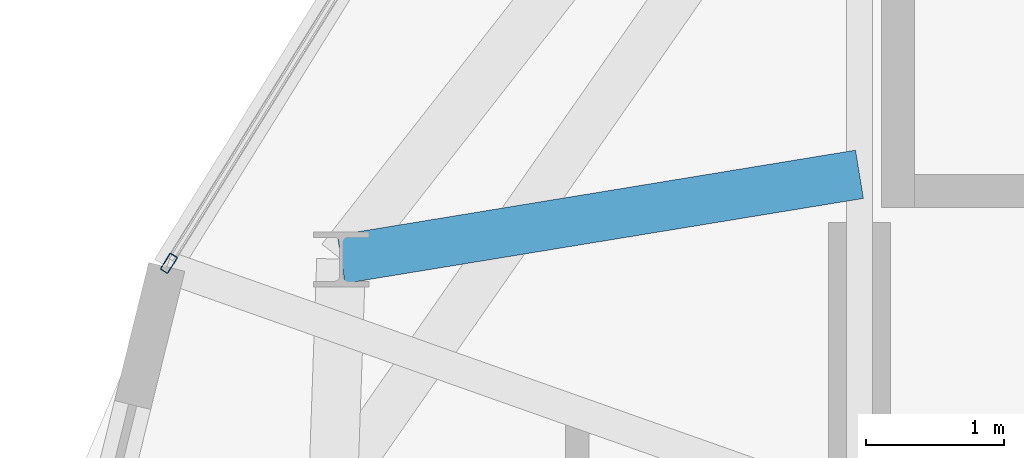
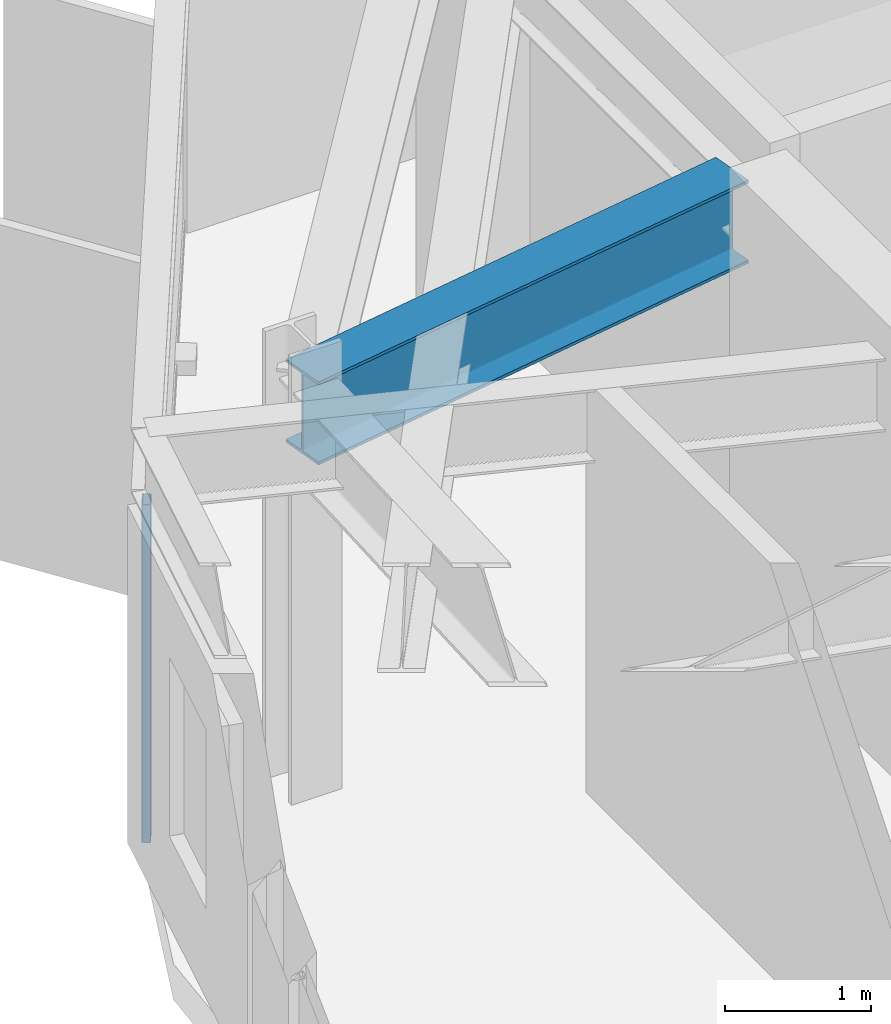
# One storey, part 8 of 26: 1 beam, 1 member, 1 element without a shape of its own.
"""IFC4 building model written with IfcOpenShell, lengths in metres."""

from ifc_helpers import new_model, si_unit, direction, frame, origin, origin_2d, place, context, subcontext, project, spatial, hollow_rectangle, i_section, extrude, material, layer, layer_set, material_profile, profile_set, type_object, element, aggregate, save


model = new_model("IFC4")

# Units and contexts
model_context = context("Model", 3, precision=1e-05, world=origin(), true_north=direction((0.0, 1.0)))
body_context = subcontext(model_context, "Body", "Model", "MODEL_VIEW")
ifc_project = project(units=[si_unit("LENGTHUNIT", "METRE"), si_unit("AREAUNIT", "SQUARE_METRE"), si_unit("VOLUMEUNIT", "CUBIC_METRE"), si_unit("PLANEANGLEUNIT", "RADIAN"), si_unit("MASSUNIT", "GRAM", prefix="KILO")], contexts=[model_context])

# Site, building, storey
site_placement = place(None, origin())
site = spatial("IfcSite", under=ifc_project, at=site_placement, CompositionType="ELEMENT")
building_placement = place(site_placement, origin())
building = spatial("IfcBuilding", under=site, at=building_placement, Name="Soratama Intermodal Tower", CompositionType="ELEMENT")
storey_placement = place(building_placement, frame((0.0, 0.0, 246.25)))
storey = spatial("IfcBuildingStorey", under=building, at=storey_placement, Name="L62", CompositionType="ELEMENT", Elevation=246.25)

# Beam
ifc_material_1 = material(Name="Structural steel ASTM A992 Grade 50", Category="steel")
ifc_material_profile_1 = material_profile(ifc_material_1, i_section(OverallWidth=0.35498046875, OverallDepth=0.695068359375, WebThickness=0.015380859375, FlangeThickness=0.02490234375, FilletRadius=0.01611328125, at=origin_2d()), Name="W27X146")
ifc_profile_set_1 = profile_set([ifc_material_profile_1], Name="Structural steel ASTM A992 Grade 50")
beam_type = type_object("IfcBeamType", Name="BM-RING-W27X146", PredefinedType="BEAM", material=ifc_profile_set_1)
beam_placement = place(storey_placement, frame((32.60009765625, 31.5, 3.1025390625), z_axis=(-0.986826492219, -0.161782181513, 0.0), x_axis=(0.161782181513, -0.986826492219, 0.0)))
element("IfcBeam", 1, at=beam_placement, inside=storey, type_object=beam_type, Name="BM-L62-RAD-05", PredefinedType="BEAM", context=body_context, shape_type="SweptSolid", body=[
    extrude(i_section(OverallWidth=0.35498046875, OverallDepth=0.695068359375, WebThickness=0.015380859375, FlangeThickness=0.02490234375, FilletRadius=0.01611328125, at=origin_2d()), origin(), (0.0, 0.0, 1.0), 3.8134765625),
])

# Curtain wall, member
ifc_material_2 = material(Name="Double-glazed aluminium curtain wall", Category="aluminium")
ifc_layer = layer(ifc_material_2, 0.159912109375)
ifc_layer_set = layer_set([ifc_layer], Name="Double-glazed aluminium curtain wall")
curtain_wall_type = type_object("IfcCurtainWallType", Name="CW-SYS-5", PredefinedType="NOTDEFINED", material=ifc_layer_set)
curtain_wall_placement = place(storey_placement, origin())
curtain_wall = element("IfcCurtainWall", 2, at=curtain_wall_placement, inside=storey, type_object=curtain_wall_type, Name="L62 Faceted Curtain Wall F03", PredefinedType="NOTDEFINED")
ifc_material_3 = material(Name="Anodised aluminium AA 6063-T6", Category="aluminium")
ifc_material_profile_2 = material_profile(ifc_material_3, hollow_rectangle(XDim=0.06494140625, YDim=0.139892578125, WallThickness=0.0048828125, InnerFilletRadius=0.0048828125, OuterFilletRadius=0.010009765625, at=origin_2d()), Name="CWM140X65X5")
ifc_profile_set_2 = profile_set([ifc_material_profile_2], Name="Anodised aluminium AA 6063-T6")
member_type = type_object("IfcMemberType", Name="MT-CWM-5", PredefinedType="MULLION", material=ifc_profile_set_2)
member_placement = place(storey_placement, frame((27.58642578125, 30.853759765625, 0.0), z_axis=(0.0, 0.0, 1.0), x_axis=(0.849338641556, -0.527848341818, 0.0)))
member = element("IfcMember", 3, at=member_placement, type_object=member_type, Name="CW-5 mullion 2", PredefinedType="MULLION", context=body_context, shape_type="SweptSolid", body=[
    extrude(hollow_rectangle(XDim=0.06494140625, YDim=0.139892578125, WallThickness=0.0048828125, InnerFilletRadius=0.0048828125, OuterFilletRadius=0.010009765625, at=origin_2d()), origin(), (0.0, 0.0, 1.0), 2.8291015625),
])
aggregate(curtain_wall, [member])

save(model, "model.ifc")
